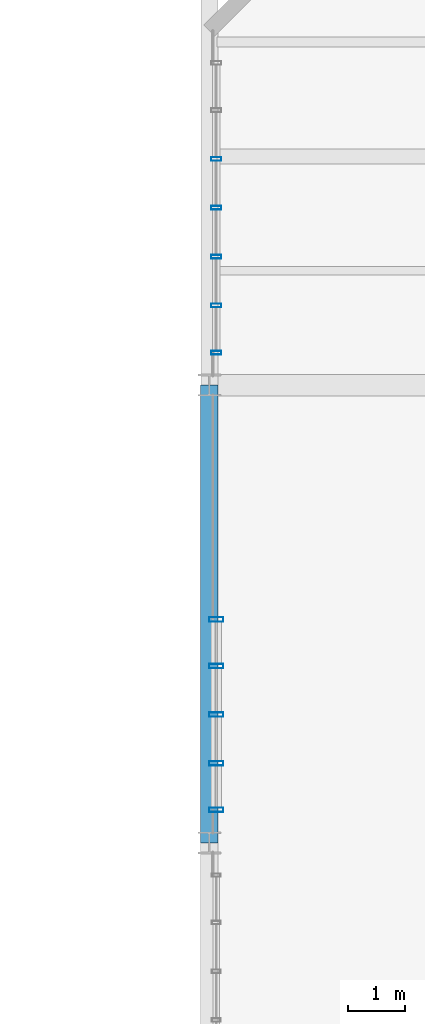
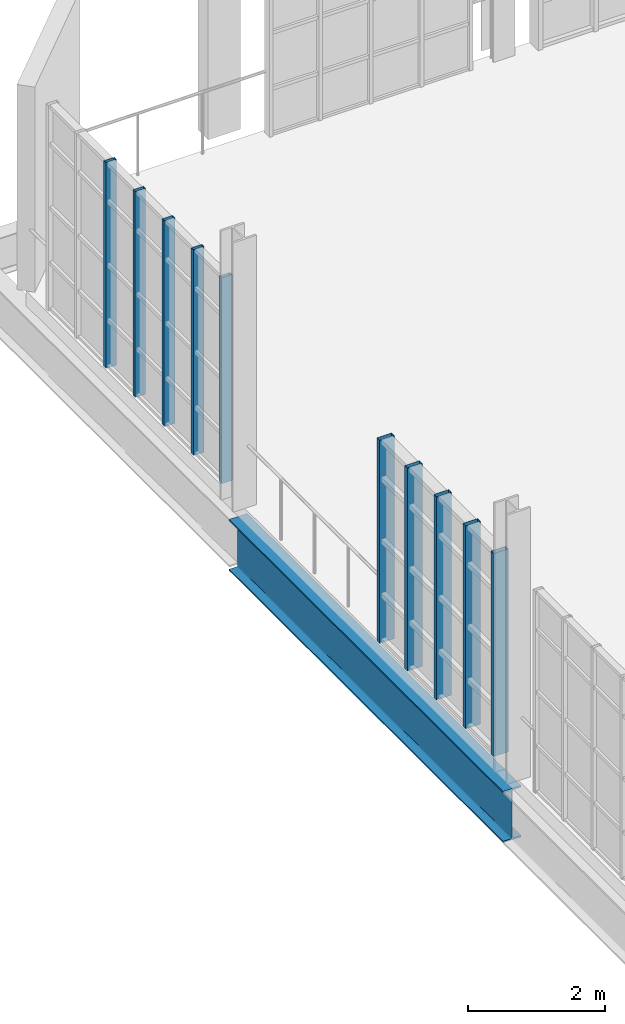
# One storey, part 59 of 118: 10 members, 1 beam, 2 elements without a shape of their own.
"""IFC4 building model written with IfcOpenShell, lengths in metres."""

from ifc_helpers import new_model, si_unit, direction, frame, origin, origin_2d, place, context, subcontext, project, spatial, hollow_rectangle, i_section, extrude, material, layer, layer_set, material_profile, profile_set, type_object, element, aggregate, save


model = new_model("IFC4")

# Units and contexts
model_context = context("Model", 3, precision=1e-05, world=origin(), true_north=direction((0.0, 1.0)))
body_context = subcontext(model_context, "Body", "Model", "MODEL_VIEW")
ifc_project = project(units=[si_unit("LENGTHUNIT", "METRE"), si_unit("AREAUNIT", "SQUARE_METRE"), si_unit("VOLUMEUNIT", "CUBIC_METRE"), si_unit("PLANEANGLEUNIT", "RADIAN"), si_unit("MASSUNIT", "GRAM", prefix="KILO"), si_unit("THERMODYNAMICTEMPERATUREUNIT", "KELVIN"), si_unit("POWERUNIT", "WATT")], contexts=[model_context])

# Site, building, storey
site_placement = place(None, origin())
site = spatial("IfcSite", under=ifc_project, at=site_placement, CompositionType="ELEMENT")
building_placement = place(site_placement, origin())
building = spatial("IfcBuilding", under=site, at=building_placement, Name="Zelmaris Science Centre", CompositionType="ELEMENT")
storey_placement = place(building_placement, frame((0.0, 0.0, 15.60009765625)))
storey = spatial("IfcBuildingStorey", under=building, at=storey_placement, Name="L03", CompositionType="ELEMENT", Elevation=15.60009765625)

# Curtain wall, members
ifc_material_1 = material(Name="Anodised architectural aluminium 6063-T6", Category="aluminium")
ifc_layer_1 = layer(ifc_material_1, 0.2099609375, Name="Anodised architectural aluminium 6063-T6")
ifc_layer_set_1 = layer_set([ifc_layer_1], Name="Anodised architectural aluminium 6063-T6")
curtain_wall_type_1 = type_object("IfcCurtainWallType", Name="Curtain Wall CW-03", PredefinedType="USERDEFINED", material=ifc_layer_set_1)
curtain_wall_1_placement = place(storey_placement, origin())
curtain_wall_1 = element("IfcCurtainWall", 1, at=curtain_wall_1_placement, inside=storey, type_object=curtain_wall_type_1, Name="L03 Unitised curtain wall 279", ObjectType="GLAZED CURTAIN WALL", PredefinedType="USERDEFINED")
ifc_material_profile_1 = material_profile(ifc_material_1, hollow_rectangle(XDim=0.06494140625, YDim=0.179931640625, WallThickness=0.00390625, at=origin_2d()), Name="ALU-MUL-65X180")
ifc_profile_set_1 = profile_set([ifc_material_profile_1], Name="Anodised architectural aluminium 6063-T6")
member_type_1 = type_object("IfcMemberType", Name="ALU-MUL-65X180", PredefinedType="MULLION", material=ifc_profile_set_1)
member_1_placement = place(storey_placement, frame((54.1201171875, 80.568603515625, -0.01513671875), z_axis=(0.0, 0.0, 1.0), x_axis=(0.0, 1.0, 0.0)))
member_1 = element("IfcMember", 2, at=member_1_placement, type_object=member_type_1, Name="CW-03 mullion 1", PredefinedType="MULLION", context=body_context, shape_type="SweptSolid", body=[
    extrude(hollow_rectangle(XDim=0.06494140625, YDim=0.179931640625, WallThickness=0.00390625, at=origin_2d()), origin(), (0.0, 0.0, 1.0), 3.6689453125),
])
member_2_placement = place(storey_placement, frame((54.1201171875, 81.393310546875, -0.01513671875), z_axis=(0.0, 0.0, 1.0), x_axis=(0.0, 1.0, 0.0)))
member_2 = element("IfcMember", 3, at=member_2_placement, type_object=member_type_1, Name="CW-03 mullion 2", PredefinedType="MULLION", context=body_context, shape_type="SweptSolid", body=[
    extrude(hollow_rectangle(XDim=0.06494140625, YDim=0.179931640625, WallThickness=0.00390625, at=origin_2d()), origin(), (0.0, 0.0, 1.0), 3.6689453125),
])
member_3_placement = place(storey_placement, frame((54.1201171875, 82.24658203125, -0.01513671875), z_axis=(0.0, 0.0, 1.0), x_axis=(0.0, 1.0, 0.0)))
member_3 = element("IfcMember", 4, at=member_3_placement, type_object=member_type_1, Name="CW-03 mullion 3", PredefinedType="MULLION", context=body_context, shape_type="SweptSolid", body=[
    extrude(hollow_rectangle(XDim=0.06494140625, YDim=0.179931640625, WallThickness=0.00390625, at=origin_2d()), origin(), (0.0, 0.0, 1.0), 3.6689453125),
])
member_4_placement = place(storey_placement, frame((54.1201171875, 83.10009765625, -0.01513671875), z_axis=(0.0, 0.0, 1.0), x_axis=(0.0, 1.0, 0.0)))
member_4 = element("IfcMember", 5, at=member_4_placement, type_object=member_type_1, Name="CW-03 mullion 4", PredefinedType="MULLION", context=body_context, shape_type="SweptSolid", body=[
    extrude(hollow_rectangle(XDim=0.06494140625, YDim=0.179931640625, WallThickness=0.00390625, at=origin_2d()), origin(), (0.0, 0.0, 1.0), 3.6689453125),
])
member_5_placement = place(storey_placement, frame((54.1201171875, 83.953369140625, -0.01513671875), z_axis=(0.0, 0.0, 1.0), x_axis=(0.0, 1.0, 0.0)))
member_5 = element("IfcMember", 6, at=member_5_placement, type_object=member_type_1, Name="CW-03 mullion 5", PredefinedType="MULLION", context=body_context, shape_type="SweptSolid", body=[
    extrude(hollow_rectangle(XDim=0.06494140625, YDim=0.179931640625, WallThickness=0.00390625, at=origin_2d()), origin(), (0.0, 0.0, 1.0), 3.6689453125),
])
aggregate(curtain_wall_1, [member_1, member_2, member_3, member_4, member_5])

ifc_layer_2 = layer(ifc_material_1, 0.18994140625, Name="Anodised architectural aluminium 6063-T6")
ifc_layer_set_2 = layer_set([ifc_layer_2], Name="Anodised architectural aluminium 6063-T6")
curtain_wall_type_2 = type_object("IfcCurtainWallType", Name="Curtain Wall CW-01", PredefinedType="USERDEFINED", material=ifc_layer_set_2)
curtain_wall_2_placement = place(storey_placement, origin())
curtain_wall_2 = element("IfcCurtainWall", 7, at=curtain_wall_2_placement, inside=storey, type_object=curtain_wall_type_2, Name="L03 Unitised curtain wall 277", ObjectType="GLAZED CURTAIN WALL", PredefinedType="USERDEFINED")
ifc_material_profile_2 = material_profile(ifc_material_1, hollow_rectangle(XDim=0.080078125, YDim=0.25, WallThickness=0.0048828125, at=origin_2d()), Name="ALU-MUL-80X250")
ifc_profile_set_2 = profile_set([ifc_material_profile_2], Name="Anodised architectural aluminium 6063-T6")
member_type_2 = type_object("IfcMemberType", Name="ALU-MUL-80X250", PredefinedType="MULLION", material=ifc_profile_set_2)
member_6_placement = place(storey_placement, frame((54.1201171875, 72.575927734375, -0.01513671875), z_axis=(0.0, 0.0, 1.0), x_axis=(0.0, 1.0, 0.0)))
member_6 = element("IfcMember", 8, at=member_6_placement, type_object=member_type_2, Name="CW-01 mullion 1", PredefinedType="MULLION", context=body_context, shape_type="SweptSolid", body=[
    extrude(hollow_rectangle(XDim=0.080078125, YDim=0.25, WallThickness=0.0048828125, at=origin_2d()), origin(), (0.0, 0.0, 1.0), 3.617919921875),
])
member_7_placement = place(storey_placement, frame((54.1201171875, 73.389892578125, -0.01513671875), z_axis=(0.0, 0.0, 1.0), x_axis=(0.0, 1.0, 0.0)))
member_7 = element("IfcMember", 9, at=member_7_placement, type_object=member_type_2, Name="CW-01 mullion 2", PredefinedType="MULLION", context=body_context, shape_type="SweptSolid", body=[
    extrude(hollow_rectangle(XDim=0.080078125, YDim=0.25, WallThickness=0.0048828125, at=origin_2d()), origin(), (0.0, 0.0, 1.0), 3.617919921875),
])
member_8_placement = place(storey_placement, frame((54.1201171875, 74.239990234375, -0.01513671875), z_axis=(0.0, 0.0, 1.0), x_axis=(0.0, 1.0, 0.0)))
member_8 = element("IfcMember", 10, at=member_8_placement, type_object=member_type_2, Name="CW-01 mullion 3", PredefinedType="MULLION", context=body_context, shape_type="SweptSolid", body=[
    extrude(hollow_rectangle(XDim=0.080078125, YDim=0.25, WallThickness=0.0048828125, at=origin_2d()), origin(), (0.0, 0.0, 1.0), 3.617919921875),
])
member_9_placement = place(storey_placement, frame((54.1201171875, 75.090087890625, -0.01513671875), z_axis=(0.0, 0.0, 1.0), x_axis=(0.0, 1.0, 0.0)))
member_9 = element("IfcMember", 11, at=member_9_placement, type_object=member_type_2, Name="CW-01 mullion 4", PredefinedType="MULLION", context=body_context, shape_type="SweptSolid", body=[
    extrude(hollow_rectangle(XDim=0.080078125, YDim=0.25, WallThickness=0.0048828125, at=origin_2d()), origin(), (0.0, 0.0, 1.0), 3.617919921875),
])
member_10_placement = place(storey_placement, frame((54.1201171875, 75.904052734375, -0.01513671875), z_axis=(0.0, 0.0, 1.0), x_axis=(0.0, 1.0, 0.0)))
member_10 = element("IfcMember", 12, at=member_10_placement, type_object=member_type_2, Name="CW-01 mullion 5", PredefinedType="MULLION", context=body_context, shape_type="SweptSolid", body=[
    extrude(hollow_rectangle(XDim=0.080078125, YDim=0.25, WallThickness=0.0048828125, at=origin_2d()), origin(), (0.0, 0.0, 1.0), 3.617919921875),
])
aggregate(curtain_wall_2, [member_6, member_7, member_8, member_9, member_10])

# Beam
ifc_material_2 = material(Name="Steel ASTM A992 Grade 50", Category="steel")
ifc_material_profile_3 = material_profile(ifc_material_2, i_section(OverallWidth=0.304931640625, OverallDepth=0.9140625, WebThickness=0.0166015625, FlangeThickness=0.02587890625, FilletRadius=0.02392578125, at=origin_2d()), Name="W36X160")
ifc_profile_set_3 = profile_set([ifc_material_profile_3], Name="Steel ASTM A992 Grade 50")
beam_type = type_object("IfcBeamType", Name="Beam G-04 W36X160", PredefinedType="BEAM", material=ifc_profile_set_3)
beam_placement = place(storey_placement, frame((54.0, 72.0, -0.717041015625), z_axis=(0.0, 1.0, 0.0), x_axis=(-1.0, 0.0, 0.0)))
element("IfcBeam", 13, at=beam_placement, inside=storey, type_object=beam_type, Name="L03 North-south girder 683", PredefinedType="BEAM", context=body_context, shape_type="SweptSolid", body=[
    extrude(i_section(OverallWidth=0.304931640625, OverallDepth=0.9140625, WebThickness=0.0166015625, FlangeThickness=0.02587890625, FilletRadius=0.02392578125, at=origin_2d()), origin(), (0.0, 0.0, 1.0), 8.0),
])

save(model, "model.ifc")
